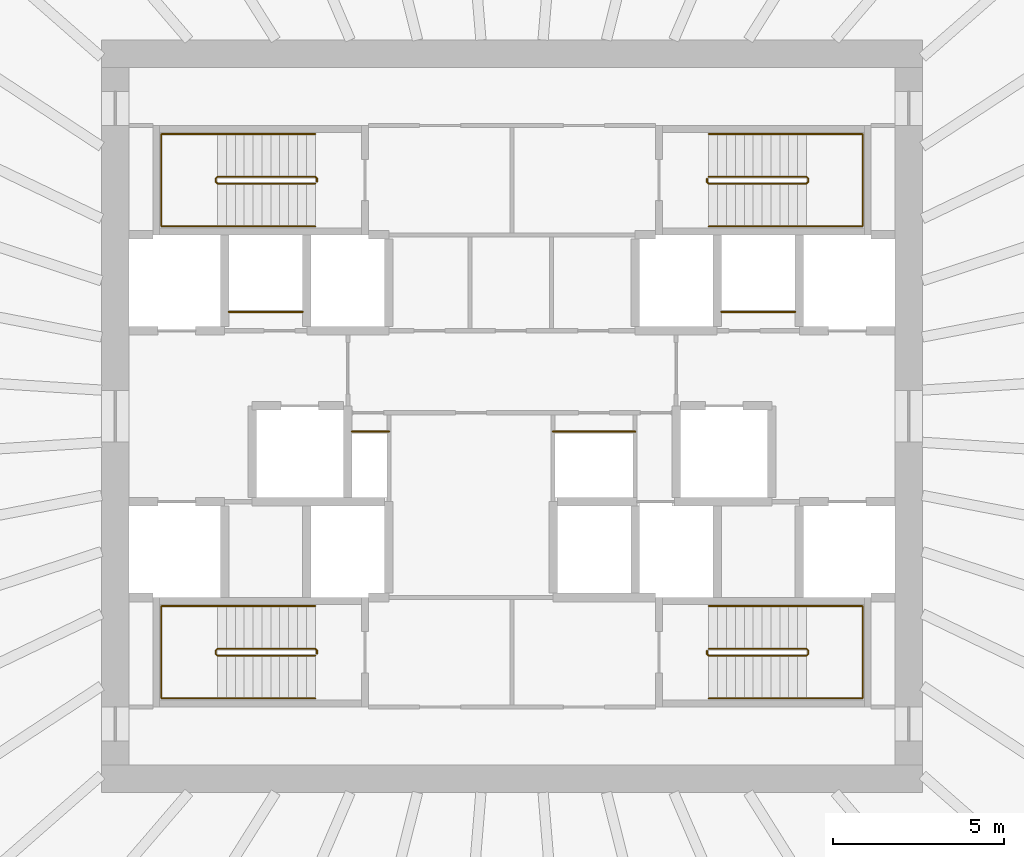
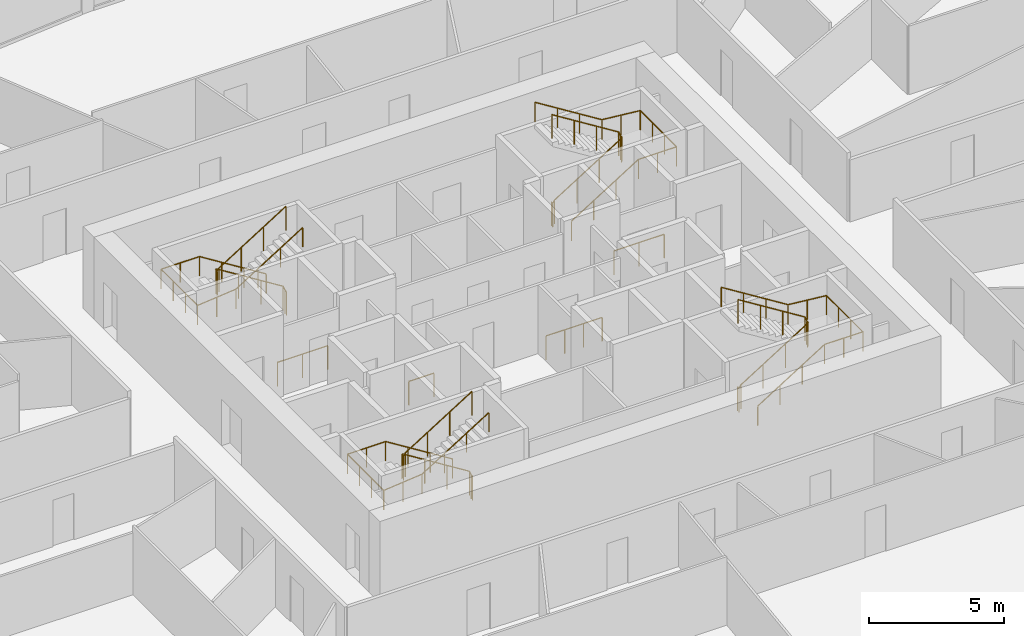
# One storey, part 10 of 10: 12 railings.
"""IFC4 building model written with IfcOpenShell, lengths in metres."""

from ifc_helpers import new_model, si_unit, direction, frame, origin, origin_2d, place, context, subcontext, project, spatial, circle, extrude, source, transform, mapped, material, type_object, element, save


model = new_model("IFC4")

# Units and contexts
model_context = context("Model", 3, precision=1e-05, world=origin(), true_north=direction((0.0, 1.0)))
body_context = subcontext(model_context, "Body", "Model", "MODEL_VIEW")
ifc_project = project(units=[si_unit("LENGTHUNIT", "METRE"), si_unit("AREAUNIT", "SQUARE_METRE"), si_unit("VOLUMEUNIT", "CUBIC_METRE"), si_unit("PLANEANGLEUNIT", "RADIAN"), si_unit("MASSUNIT", "GRAM", prefix="KILO")], contexts=[model_context])

# Site, building, storey
site_placement = place(None, origin())
site = spatial("IfcSite", under=ifc_project, at=site_placement, CompositionType="ELEMENT")
building_placement = place(site_placement, origin())
building = spatial("IfcBuilding", under=site, at=building_placement, Name="Embergate Tower", CompositionType="ELEMENT")
storey_placement = place(building_placement, frame((0.0, 0.0, 179.39990234375)))
storey = spatial("IfcBuildingStorey", under=building, at=storey_placement, Name="L40", CompositionType="ELEMENT", Elevation=179.39990234375)

# Railings
ifc_material_1 = material(Name="Stair guard 1100")
railing_type_1 = type_object("IfcRailingType", Name="Stair guard 1100", PredefinedType="GUARDRAIL", material=ifc_material_1)
shared_shape_1 = source(origin(), body_context, "Body", "SweptSolid", [
    extrude(circle(Radius=0.02392578125, at=origin_2d()), frame((0.0, 0.0, 1.076171875), z_axis=(0.0, 1.0, 0.0), x_axis=(-1.0, 0.0, 0.0)), (0.0, 0.0, 1.0), 0.099853515625),
    extrude(circle(Radius=0.02392578125, at=origin_2d()), frame((0.0, 0.099853515625, 1.076171875), z_axis=(-0.282227285176, 0.282227285176, 0.916894497205), x_axis=(-0.707106781187, -0.707106781187, 0.0)), (0.0, 0.0, 1.0), 0.17724609375),
    extrude(circle(Radius=0.02392578125, at=origin_2d()), frame((-0.050048828125, 0.14990234375, 1.23876953125), z_axis=(-0.847994237388, 0.0, 0.530005446535), x_axis=(0.0, -1.0, 0.0)), (0.0, 0.0, 1.0), 3.372802734375),
    extrude(circle(Radius=0.02392578125, at=origin_2d()), frame((-2.91015625, 0.14990234375, 3.0263671875), z_axis=(-0.705375805398, -0.708833529934, 0.0), x_axis=(0.708833529934, -0.705375805398, 0.0)), (0.0, 0.0, 1.0), 0.070556640625),
    extrude(circle(Radius=0.02392578125, at=origin_2d()), frame((-2.9599609375, 0.099853515625, 3.0263671875), z_axis=(0.0, -1.0, 0.0), x_axis=(1.0, 0.0, 0.0)), (0.0, 0.0, 1.0), 0.099853515625),
    extrude(circle(Radius=0.02392578125, at=origin_2d()), frame((-2.9599609375, 0.0, 3.0263671875), z_axis=(0.281314826061, -0.282693820306, 0.917031173188), x_axis=(0.708833529934, 0.705375805398, 0.0)), (0.0, 0.0, 1.0), 0.177001953125),
    extrude(circle(Radius=0.02392578125, at=origin_2d()), frame((-2.91015625, -0.050048828125, 3.1884765625), z_axis=(0.847994237388, 0.0, 0.530005446535), x_axis=(0.0, 1.0, 0.0)), (0.0, 0.0, 1.0), 3.372802734375),
    extrude(circle(Radius=0.02099609375, at=origin_2d()), origin(), (0.0, 0.0, 1.0), 1.052001953125),
    extrude(circle(Radius=0.02099609375, at=origin_2d()), frame((0.0, 0.099853515625, 0.0)), (0.0, 0.0, 1.0), 1.052001953125),
    extrude(circle(Radius=0.02099609375, at=origin_2d()), frame((-0.050048828125, 0.14990234375, 0.16259765625)), (0.0, 0.0, 1.0), 1.052001953125),
    extrude(circle(Radius=0.02099609375, at=origin_2d()), frame((-1.00341796875, 0.14990234375, 0.758544921875)), (0.0, 0.0, 1.0), 1.052001953125),
    extrude(circle(Radius=0.02099609375, at=origin_2d()), frame((-1.956787109375, 0.14990234375, 1.354248046875)), (0.0, 0.0, 1.0), 1.052001953125),
    extrude(circle(Radius=0.02099609375, at=origin_2d()), frame((-2.91015625, 0.14990234375, 1.9501953125)), (0.0, 0.0, 1.0), 1.052001953125),
    extrude(circle(Radius=0.02099609375, at=origin_2d()), frame((-2.9599609375, 0.099853515625, 1.9501953125)), (0.0, 0.0, 1.0), 1.052001953125),
    extrude(circle(Radius=0.02099609375, at=origin_2d()), frame((-2.9599609375, 0.0, 1.9501953125)), (0.0, 0.0, 1.0), 1.052001953125),
    extrude(circle(Radius=0.02099609375, at=origin_2d()), frame((-2.91015625, -0.050048828125, 2.112548828125)), (0.0, 0.0, 1.0), 1.052001953125),
    extrude(circle(Radius=0.02099609375, at=origin_2d()), frame((-1.956787109375, -0.050048828125, 2.70849609375)), (0.0, 0.0, 1.0), 1.052001953125),
    extrude(circle(Radius=0.02099609375, at=origin_2d()), frame((-1.00341796875, -0.050048828125, 3.30419921875)), (0.0, 0.0, 1.0), 1.052001953125),
    extrude(circle(Radius=0.02099609375, at=origin_2d()), frame((-0.050048828125, -0.050048828125, 3.900146484375)), (0.0, 0.0, 1.0), 1.052001953125),
])
for number, where, name in (
    (1, (-5.699951171875, 6.85009765625, 0.0), "L40 ST1 stair guard 1"),
    (2, (-5.699951171875, -6.949951171875, 0.0), "L40 ST3 stair guard 1"),
):
    element("IfcRailing", number, at=place(storey_placement, frame(where)), inside=storey, type_object=railing_type_1, Name=name, PredefinedType="GUARDRAIL", context=body_context, shape_type="MappedRepresentation", body=[
        mapped(shared_shape_1, transform((0.0, 0.0, 0.0))),
    ])
ifc_material_2 = material(Name="Stair handrail 900")
railing_type_2 = type_object("IfcRailingType", Name="Stair handrail 900", PredefinedType="HANDRAIL", material=ifc_material_2)
shared_shape_2 = source(origin(), body_context, "Body", "SweptSolid", [
    extrude(circle(Radius=0.02392578125, at=origin_2d()), frame((0.0, 0.0, 0.8759765625), z_axis=(-0.847994237388, 0.0, 0.530005446535), x_axis=(0.0, -1.0, 0.0)), (0.0, 0.0, 1.0), 3.372802734375),
    extrude(circle(Radius=0.02392578125, at=origin_2d()), frame((-2.860107421875, 0.0, 2.66357421875), z_axis=(-1.0, 0.0, 0.0), x_axis=(0.0, -1.0, 0.0)), (0.0, 0.0, 1.0), 1.639892578125),
    extrude(circle(Radius=0.02392578125, at=origin_2d()), frame((-4.5, 0.0, 2.66357421875), z_axis=(0.0, -1.0, 0.0), x_axis=(1.0, 0.0, 0.0)), (0.0, 0.0, 1.0), 2.699951171875),
    extrude(circle(Radius=0.02392578125, at=origin_2d()), frame((-4.5, -2.699951171875, 2.66357421875), z_axis=(0.995134983717, 0.0, 0.098520881967), x_axis=(0.0, 1.0, 0.0)), (0.0, 0.0, 1.0), 1.64794921875),
    extrude(circle(Radius=0.02392578125, at=origin_2d()), frame((-2.860107421875, -2.699951171875, 2.82568359375), z_axis=(0.847994237388, 0.0, 0.530005446535), x_axis=(0.0, 1.0, 0.0)), (0.0, 0.0, 1.0), 3.372802734375),
    extrude(circle(Radius=0.02099609375, at=origin_2d()), origin(), (0.0, 0.0, 1.0), 0.851806640625),
    extrude(circle(Radius=0.02099609375, at=origin_2d()), frame((-0.953369140625, 0.0, 0.595947265625)), (0.0, 0.0, 1.0), 0.851806640625),
    extrude(circle(Radius=0.02099609375, at=origin_2d()), frame((-1.90673828125, 0.0, 1.191650390625)), (0.0, 0.0, 1.0), 0.851806640625),
    extrude(circle(Radius=0.02099609375, at=origin_2d()), frame((-2.860107421875, 0.0, 1.78759765625)), (0.0, 0.0, 1.0), 0.851806640625),
    extrude(circle(Radius=0.02099609375, at=origin_2d()), frame((-3.68017578125, 0.0, 1.78759765625)), (0.0, 0.0, 1.0), 0.851806640625),
    extrude(circle(Radius=0.02099609375, at=origin_2d()), frame((-4.5, 0.0, 1.78759765625)), (0.0, 0.0, 1.0), 0.851806640625),
    extrude(circle(Radius=0.02099609375, at=origin_2d()), frame((-4.5, -0.89990234375, 1.78759765625)), (0.0, 0.0, 1.0), 0.851806640625),
    extrude(circle(Radius=0.02099609375, at=origin_2d()), frame((-4.5, -1.800048828125, 1.78759765625)), (0.0, 0.0, 1.0), 0.851806640625),
    extrude(circle(Radius=0.02099609375, at=origin_2d()), frame((-4.5, -2.699951171875, 1.78759765625)), (0.0, 0.0, 1.0), 0.851806640625),
    extrude(circle(Radius=0.02099609375, at=origin_2d()), frame((-3.68017578125, -2.699951171875, 1.86865234375)), (0.0, 0.0, 1.0), 0.851806640625),
    extrude(circle(Radius=0.02099609375, at=origin_2d()), frame((-2.860107421875, -2.699951171875, 1.949951171875)), (0.0, 0.0, 1.0), 0.851806640625),
    extrude(circle(Radius=0.02099609375, at=origin_2d()), frame((-1.90673828125, -2.699951171875, 2.5458984375)), (0.0, 0.0, 1.0), 0.851806640625),
    extrude(circle(Radius=0.02099609375, at=origin_2d()), frame((-0.953369140625, -2.699951171875, 3.1416015625)), (0.0, 0.0, 1.0), 0.851806640625),
    extrude(circle(Radius=0.02099609375, at=origin_2d()), frame((0.0, -2.699951171875, 3.737548828125)), (0.0, 0.0, 1.0), 0.851806640625),
])
for number, where, name in (
    (3, (-5.75, 8.25, 0.16259765625), "L40 ST1 stair handrail 1"),
    (4, (-5.75, -5.550048828125, 0.16259765625), "L40 ST3 stair handrail 1"),
):
    element("IfcRailing", number, at=place(storey_placement, frame(where)), inside=storey, type_object=railing_type_2, Name=name, PredefinedType="HANDRAIL", context=body_context, shape_type="MappedRepresentation", body=[
        mapped(shared_shape_2, transform((0.0, 0.0, 0.0))),
    ])
shared_shape_3 = source(origin(), body_context, "Body", "SweptSolid", [
    extrude(circle(Radius=0.02392578125, at=origin_2d()), frame((0.0, 0.0, 1.076171875), z_axis=(0.0, -1.0, 0.0), x_axis=(1.0, 0.0, 0.0)), (0.0, 0.0, 1.0), 0.099853515625),
    extrude(circle(Radius=0.02392578125, at=origin_2d()), frame((0.0, -0.099853515625, 1.076171875), z_axis=(0.282227285176, -0.282227285176, 0.916894497205), x_axis=(0.707106781187, 0.707106781187, 0.0)), (0.0, 0.0, 1.0), 0.17724609375),
    extrude(circle(Radius=0.02392578125, at=origin_2d()), frame((0.050048828125, -0.14990234375, 1.23876953125), z_axis=(0.847994237388, 0.0, 0.530005446535), x_axis=(0.0, 1.0, 0.0)), (0.0, 0.0, 1.0), 3.372802734375),
    extrude(circle(Radius=0.02392578125, at=origin_2d()), frame((2.91015625, -0.14990234375, 3.0263671875), z_axis=(0.705375805398, 0.708833529934, 0.0), x_axis=(-0.708833529934, 0.705375805398, 0.0)), (0.0, 0.0, 1.0), 0.070556640625),
    extrude(circle(Radius=0.02392578125, at=origin_2d()), frame((2.9599609375, -0.099853515625, 3.0263671875), z_axis=(0.0, 1.0, 0.0), x_axis=(-1.0, 0.0, 0.0)), (0.0, 0.0, 1.0), 0.099853515625),
    extrude(circle(Radius=0.02392578125, at=origin_2d()), frame((2.9599609375, 0.0, 3.0263671875), z_axis=(-0.281314826061, 0.282693820306, 0.917031173188), x_axis=(-0.708833529934, -0.705375805398, 0.0)), (0.0, 0.0, 1.0), 0.177001953125),
    extrude(circle(Radius=0.02392578125, at=origin_2d()), frame((2.91015625, 0.050048828125, 3.1884765625), z_axis=(-0.847994237388, 0.0, 0.530005446535), x_axis=(0.0, -1.0, 0.0)), (0.0, 0.0, 1.0), 3.372802734375),
    extrude(circle(Radius=0.02099609375, at=origin_2d()), origin(), (0.0, 0.0, 1.0), 1.052001953125),
    extrude(circle(Radius=0.02099609375, at=origin_2d()), frame((0.0, -0.099853515625, 0.0)), (0.0, 0.0, 1.0), 1.052001953125),
    extrude(circle(Radius=0.02099609375, at=origin_2d()), frame((0.050048828125, -0.14990234375, 0.16259765625)), (0.0, 0.0, 1.0), 1.052001953125),
    extrude(circle(Radius=0.02099609375, at=origin_2d()), frame((1.00341796875, -0.14990234375, 0.758544921875)), (0.0, 0.0, 1.0), 1.052001953125),
    extrude(circle(Radius=0.02099609375, at=origin_2d()), frame((1.956787109375, -0.14990234375, 1.354248046875)), (0.0, 0.0, 1.0), 1.052001953125),
    extrude(circle(Radius=0.02099609375, at=origin_2d()), frame((2.91015625, -0.14990234375, 1.9501953125)), (0.0, 0.0, 1.0), 1.052001953125),
    extrude(circle(Radius=0.02099609375, at=origin_2d()), frame((2.9599609375, -0.099853515625, 1.9501953125)), (0.0, 0.0, 1.0), 1.052001953125),
    extrude(circle(Radius=0.02099609375, at=origin_2d()), frame((2.9599609375, 0.0, 1.9501953125)), (0.0, 0.0, 1.0), 1.052001953125),
    extrude(circle(Radius=0.02099609375, at=origin_2d()), frame((2.91015625, 0.050048828125, 2.112548828125)), (0.0, 0.0, 1.0), 1.052001953125),
    extrude(circle(Radius=0.02099609375, at=origin_2d()), frame((1.956787109375, 0.050048828125, 2.70849609375)), (0.0, 0.0, 1.0), 1.052001953125),
    extrude(circle(Radius=0.02099609375, at=origin_2d()), frame((1.00341796875, 0.050048828125, 3.30419921875)), (0.0, 0.0, 1.0), 1.052001953125),
    extrude(circle(Radius=0.02099609375, at=origin_2d()), frame((0.050048828125, 0.050048828125, 3.900146484375)), (0.0, 0.0, 1.0), 1.052001953125),
])
for number, where, name in (
    (5, (5.699951171875, 6.949951171875, 0.0), "L40 ST2 stair guard 1"),
    (6, (5.699951171875, -6.85009765625, 0.0), "L40 ST4 stair guard 1"),
):
    element("IfcRailing", number, at=place(storey_placement, frame(where)), inside=storey, type_object=railing_type_1, Name=name, PredefinedType="GUARDRAIL", context=body_context, shape_type="MappedRepresentation", body=[
        mapped(shared_shape_3, transform((0.0, 0.0, 0.0))),
    ])
shared_shape_4 = source(origin(), body_context, "Body", "SweptSolid", [
    extrude(circle(Radius=0.02392578125, at=origin_2d()), frame((0.0, 0.0, 0.8759765625), z_axis=(0.847994237388, 0.0, 0.530005446535), x_axis=(0.0, 1.0, 0.0)), (0.0, 0.0, 1.0), 3.372802734375),
    extrude(circle(Radius=0.02392578125, at=origin_2d()), frame((2.860107421875, 0.0, 2.66357421875), z_axis=(1.0, 0.0, 0.0), x_axis=(0.0, 1.0, 0.0)), (0.0, 0.0, 1.0), 1.639892578125),
    extrude(circle(Radius=0.02392578125, at=origin_2d()), frame((4.5, 0.0, 2.66357421875), z_axis=(0.0, 1.0, 0.0), x_axis=(-1.0, 0.0, 0.0)), (0.0, 0.0, 1.0), 2.699951171875),
    extrude(circle(Radius=0.02392578125, at=origin_2d()), frame((4.5, 2.699951171875, 2.66357421875), z_axis=(-0.995134983717, 0.0, 0.098520881967), x_axis=(0.0, -1.0, 0.0)), (0.0, 0.0, 1.0), 1.64794921875),
    extrude(circle(Radius=0.02392578125, at=origin_2d()), frame((2.860107421875, 2.699951171875, 2.82568359375), z_axis=(-0.847994237388, 0.0, 0.530005446535), x_axis=(0.0, -1.0, 0.0)), (0.0, 0.0, 1.0), 3.372802734375),
    extrude(circle(Radius=0.02099609375, at=origin_2d()), origin(), (0.0, 0.0, 1.0), 0.851806640625),
    extrude(circle(Radius=0.02099609375, at=origin_2d()), frame((0.953369140625, 0.0, 0.595947265625)), (0.0, 0.0, 1.0), 0.851806640625),
    extrude(circle(Radius=0.02099609375, at=origin_2d()), frame((1.90673828125, 0.0, 1.191650390625)), (0.0, 0.0, 1.0), 0.851806640625),
    extrude(circle(Radius=0.02099609375, at=origin_2d()), frame((2.860107421875, 0.0, 1.78759765625)), (0.0, 0.0, 1.0), 0.851806640625),
    extrude(circle(Radius=0.02099609375, at=origin_2d()), frame((3.68017578125, 0.0, 1.78759765625)), (0.0, 0.0, 1.0), 0.851806640625),
    extrude(circle(Radius=0.02099609375, at=origin_2d()), frame((4.5, 0.0, 1.78759765625)), (0.0, 0.0, 1.0), 0.851806640625),
    extrude(circle(Radius=0.02099609375, at=origin_2d()), frame((4.5, 0.89990234375, 1.78759765625)), (0.0, 0.0, 1.0), 0.851806640625),
    extrude(circle(Radius=0.02099609375, at=origin_2d()), frame((4.5, 1.800048828125, 1.78759765625)), (0.0, 0.0, 1.0), 0.851806640625),
    extrude(circle(Radius=0.02099609375, at=origin_2d()), frame((4.5, 2.699951171875, 1.78759765625)), (0.0, 0.0, 1.0), 0.851806640625),
    extrude(circle(Radius=0.02099609375, at=origin_2d()), frame((3.68017578125, 2.699951171875, 1.86865234375)), (0.0, 0.0, 1.0), 0.851806640625),
    extrude(circle(Radius=0.02099609375, at=origin_2d()), frame((2.860107421875, 2.699951171875, 1.949951171875)), (0.0, 0.0, 1.0), 0.851806640625),
    extrude(circle(Radius=0.02099609375, at=origin_2d()), frame((1.90673828125, 2.699951171875, 2.5458984375)), (0.0, 0.0, 1.0), 0.851806640625),
    extrude(circle(Radius=0.02099609375, at=origin_2d()), frame((0.953369140625, 2.699951171875, 3.1416015625)), (0.0, 0.0, 1.0), 0.851806640625),
    extrude(circle(Radius=0.02099609375, at=origin_2d()), frame((0.0, 2.699951171875, 3.737548828125)), (0.0, 0.0, 1.0), 0.851806640625),
])
for number, where, name in (
    (7, (5.75, 5.550048828125, 0.16259765625), "L40 ST2 stair handrail 1"),
    (8, (5.75, -8.25, 0.16259765625), "L40 ST4 stair handrail 1"),
):
    element("IfcRailing", number, at=place(storey_placement, frame(where)), inside=storey, type_object=railing_type_2, Name=name, PredefinedType="HANDRAIL", context=body_context, shape_type="MappedRepresentation", body=[
        mapped(shared_shape_4, transform((0.0, 0.0, 0.0))),
    ])
ifc_material_3 = material(Name="Opening guard 1100")
railing_type_3 = type_object("IfcRailingType", Name="Opening guard 1100", PredefinedType="GUARDRAIL", material=ifc_material_3)
shared_shape_5 = source(origin(), body_context, "Body", "SweptSolid", [
    extrude(circle(Radius=0.02392578125, at=origin_2d()), frame((0.0, 0.0, 1.076171875), z_axis=(1.0, 0.0, 0.0), x_axis=(0.0, 1.0, 0.0)), (0.0, 0.0, 1.0), 2.14990234375),
    extrude(circle(Radius=0.02099609375, at=origin_2d()), origin(), (0.0, 0.0, 1.0), 1.052001953125),
    extrude(circle(Radius=0.02099609375, at=origin_2d()), frame((1.074951171875, 0.0, 0.0)), (0.0, 0.0, 1.0), 1.052001953125),
    extrude(circle(Radius=0.02099609375, at=origin_2d()), frame((2.14990234375, 0.0, 0.0)), (0.0, 0.0, 1.0), 1.052001953125),
])
for number, where, name in (
    (9, (-8.27490234375, 3.050048828125, 0.0), "Riser opening guard"),
    (10, (6.125, 3.050048828125, 0.0), "Riser opening guard"),
):
    element("IfcRailing", number, at=place(storey_placement, frame(where)), inside=storey, type_object=railing_type_3, Name=name, PredefinedType="GUARDRAIL", context=body_context, shape_type="MappedRepresentation", body=[
        mapped(shared_shape_5, transform((0.0, 0.0, 0.0))),
    ])
shared_shape_6 = source(origin(), body_context, "Body", "SweptSolid", [
    extrude(circle(Radius=0.02392578125, at=origin_2d()), frame((0.0, 0.0, 1.076171875), z_axis=(1.0, 0.0, 0.0), x_axis=(0.0, 1.0, 0.0)), (0.0, 0.0, 1.0), 1.074951171875),
    extrude(circle(Radius=0.02099609375, at=origin_2d()), origin(), (0.0, 0.0, 1.0), 1.052001953125),
    extrude(circle(Radius=0.02099609375, at=origin_2d()), frame((1.074951171875, 0.0, 0.0)), (0.0, 0.0, 1.0), 1.052001953125),
])
railing_1_placement = place(storey_placement, frame((-4.675048828125, -0.449951171875, 0.0)))
element("IfcRailing", 11, at=railing_1_placement, inside=storey, type_object=railing_type_3, Name="Riser opening guard", PredefinedType="GUARDRAIL", context=body_context, shape_type="MappedRepresentation", body=[
    mapped(shared_shape_6, transform((0.0, 0.0, 0.0))),
])
shared_shape_7 = source(origin(), body_context, "Body", "SweptSolid", [
    extrude(circle(Radius=0.02392578125, at=origin_2d()), frame((0.0, 0.0, 1.076171875), z_axis=(1.0, 0.0, 0.0), x_axis=(0.0, 1.0, 0.0)), (0.0, 0.0, 1.0), 2.400146484375),
    extrude(circle(Radius=0.02099609375, at=origin_2d()), origin(), (0.0, 0.0, 1.0), 1.052001953125),
    extrude(circle(Radius=0.02099609375, at=origin_2d()), frame((0.800048828125, 0.0, 0.0)), (0.0, 0.0, 1.0), 1.052001953125),
    extrude(circle(Radius=0.02099609375, at=origin_2d()), frame((1.60009765625, 0.0, 0.0)), (0.0, 0.0, 1.0), 1.052001953125),
    extrude(circle(Radius=0.02099609375, at=origin_2d()), frame((2.400146484375, 0.0, 0.0)), (0.0, 0.0, 1.0), 1.052001953125),
])
railing_2_placement = place(storey_placement, frame((1.199951171875, -0.449951171875, 0.0)))
element("IfcRailing", 12, at=railing_2_placement, inside=storey, type_object=railing_type_3, Name="Riser opening guard", PredefinedType="GUARDRAIL", context=body_context, shape_type="MappedRepresentation", body=[
    mapped(shared_shape_7, transform((0.0, 0.0, 0.0))),
])

save(model, "model.ifc")
